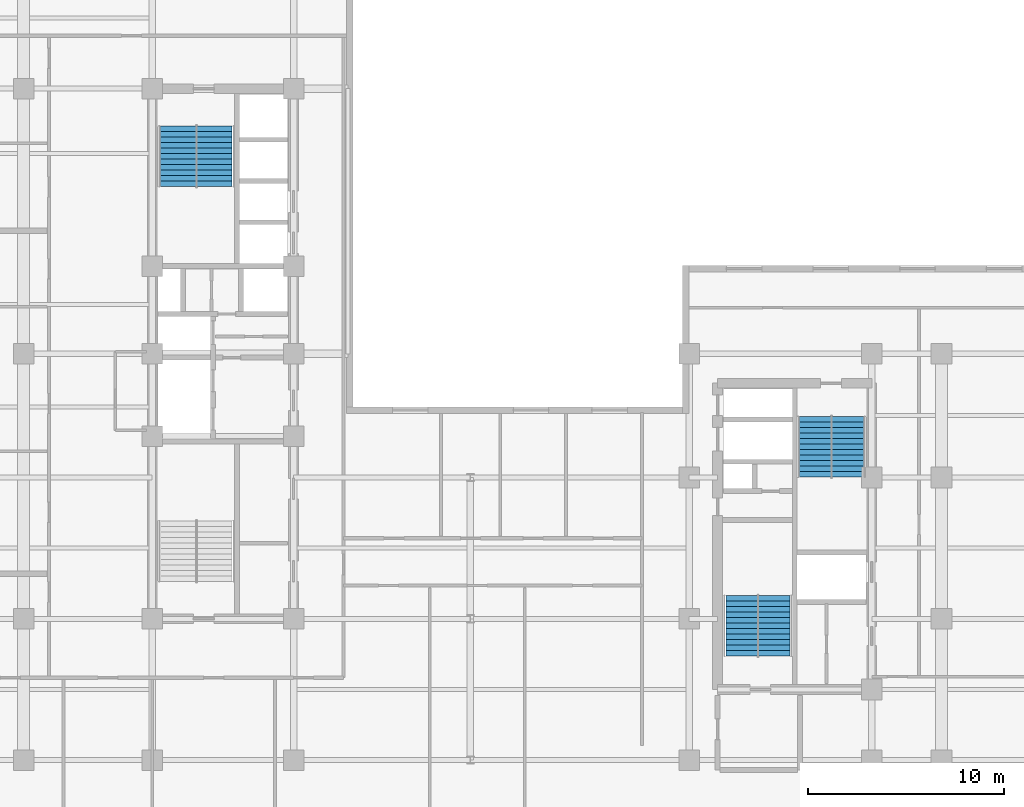
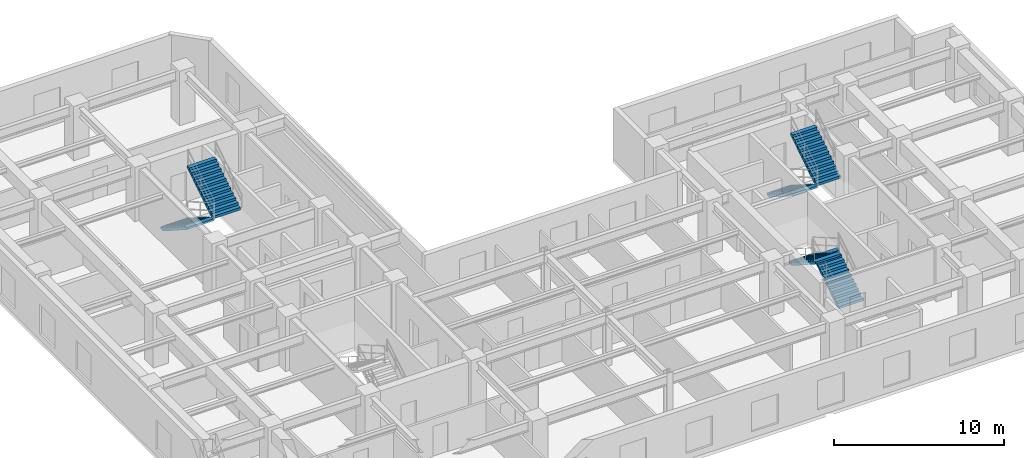
# One storey, part 7 of 10: 6 stair flights, 3 elements without a shape of their own.
"""IFC4 building model written with IfcOpenShell, lengths in metres."""

from ifc_helpers import new_model, entity, si_unit, converted_unit, direction, frame, origin_with_axes, place, context, subcontext, project, spatial, polyline, outline, extrude, material, type_object, element, aggregate, save


model = new_model("IFC4")

# Units and contexts
model_context = context("Model", 3, precision=1e-05, world=origin_with_axes(), true_north=direction((0.0, 1.0)))
body_context = subcontext(model_context, "Body", "Model", "MODEL_VIEW")
ifc_project = project(units=[si_unit("LENGTHUNIT", "METRE"), si_unit("AREAUNIT", "SQUARE_METRE"), si_unit("VOLUMEUNIT", "CUBIC_METRE"), converted_unit("PLANEANGLEUNIT", "DEGREE", entity("IfcPlaneAngleMeasure", 0.017453292519943295), si_unit("PLANEANGLEUNIT", "RADIAN"), dimensions=[0, 0, 0, 0, 0, 0, 0]), si_unit("MASSUNIT", "GRAM", prefix="KILO"), si_unit("THERMODYNAMICTEMPERATUREUNIT", "KELVIN")], contexts=[model_context])

# Site, building, storey
site_placement = place(None, origin_with_axes())
site = spatial("IfcSite", under=ifc_project, at=site_placement, CompositionType="ELEMENT")
building_placement = place(site_placement, origin_with_axes())
building = spatial("IfcBuilding", under=site, at=building_placement, Name="Varnlund Millrace Tower", CompositionType="ELEMENT")
storey_placement = place(building_placement, frame((0.0, 0.0, 129.0), z_axis=(0.0, 0.0, 1.0), x_axis=(1.0, 0.0, 0.0)))
storey = spatial("IfcBuildingStorey", under=building, at=storey_placement, Name="L31", CompositionType="ELEMENT", Elevation=129.0)

# Stair, stair flights
ifc_material_1 = material(Name="Concrete C50/60", Category="concrete")
stair_type_1 = type_object("IfcStairType", Name="Type-Stair-Dogleg-165-390", PredefinedType="HALF_TURN_STAIR", material=ifc_material_1)
stair_1_placement = place(storey_placement, origin_with_axes())
stair_1 = element("IfcStair", 1, at=stair_1_placement, inside=storey, type_object=stair_type_1, Name="Type-Stair-Dogleg-165-390", PredefinedType="HALF_TURN_STAIR")
ifc_material_2 = material(Name="Precast concrete C50/60", Category="concrete")
stair_flight_type_1 = type_object("IfcStairFlightType", Name="Type-Dogleg-Run-165-390", PredefinedType="STRAIGHT", material=ifc_material_2)
stair_flight_1_placement = place(storey_placement, frame((42.225, 8.9, 0.0), z_axis=(1.0, 0.0, 0.0), x_axis=(0.0, 1.0, 0.0)))
stair_flight_1 = element("IfcStairFlight", 2, at=stair_flight_1_placement, type_object=stair_flight_type_1, Name="ST-B1 flight 1", NumberOfRisers=11, NumberOfTreads=11, PredefinedType="STRAIGHT", RiserHeight=0.177273, TreadLength=0.28, context=body_context, shape_type="SweptSolid", body=[
    extrude(outline(polyline([(0.0, 0.0), (0.0, 0.177273), (0.28, 0.177273), (0.28, 0.354545), (0.56, 0.354545), (0.56, 0.531818), (0.84, 0.531818), (0.84, 0.709091), (1.12, 0.709091), (1.12, 0.886364), (1.4, 0.886364), (1.4, 1.063636), (1.68, 1.063636), (1.68, 1.240909), (1.96, 1.240909), (1.96, 1.418182), (2.24, 1.418182), (2.24, 1.595454), (2.52, 1.595454), (2.52, 1.772727), (2.8, 1.772727), (2.8, 1.95), (3.08, 1.95), (3.08, 1.8), (0.28, 0.0), (0.0, 0.0)])), origin_with_axes(), (0.0, 0.0, 1.0), 1.65),
])
stair_flight_2_placement = place(storey_placement, frame((42.275, 11.98, 1.95), z_axis=(-1.0, 0.0, 0.0), x_axis=(0.0, -1.0, 0.0)))
stair_flight_2 = element("IfcStairFlight", 3, at=stair_flight_2_placement, type_object=stair_flight_type_1, Name="ST-B1 flight 2", NumberOfRisers=11, NumberOfTreads=11, PredefinedType="STRAIGHT", RiserHeight=0.177273, TreadLength=0.28, context=body_context, shape_type="SweptSolid", body=[
    extrude(outline(polyline([(0.0, 0.0), (0.0, 0.177273), (0.28, 0.177273), (0.28, 0.354545), (0.56, 0.354545), (0.56, 0.531818), (0.84, 0.531818), (0.84, 0.709091), (1.12, 0.709091), (1.12, 0.886364), (1.4, 0.886364), (1.4, 1.063636), (1.68, 1.063636), (1.68, 1.240909), (1.96, 1.240909), (1.96, 1.418182), (2.24, 1.418182), (2.24, 1.595454), (2.52, 1.595454), (2.52, 1.772727), (2.8, 1.772727), (2.8, 1.95), (3.08, 1.95), (3.08, 1.8), (0.28, 0.0), (0.0, 0.0)])), origin_with_axes(), (0.0, 0.0, 1.0), 1.65),
])
aggregate(stair_1, [stair_flight_1, stair_flight_2])

stair_2_placement = place(storey_placement, origin_with_axes())
stair_2 = element("IfcStair", 4, at=stair_2_placement, inside=storey, type_object=stair_type_1, Name="Type-Stair-Dogleg-165-390", PredefinedType="HALF_TURN_STAIR")
stair_flight_3_placement = place(storey_placement, frame((46.025, 21.1, 0.0), z_axis=(-1.0, 0.0, 0.0), x_axis=(0.0, -1.0, 0.0)))
stair_flight_3 = element("IfcStairFlight", 5, at=stair_flight_3_placement, type_object=stair_flight_type_1, Name="ST-B2 flight 1", NumberOfRisers=11, NumberOfTreads=11, PredefinedType="STRAIGHT", RiserHeight=0.177273, TreadLength=0.28, context=body_context, shape_type="SweptSolid", body=[
    extrude(outline(polyline([(0.0, 0.0), (0.0, 0.177273), (0.28, 0.177273), (0.28, 0.354545), (0.56, 0.354545), (0.56, 0.531818), (0.84, 0.531818), (0.84, 0.709091), (1.12, 0.709091), (1.12, 0.886364), (1.4, 0.886364), (1.4, 1.063636), (1.68, 1.063636), (1.68, 1.240909), (1.96, 1.240909), (1.96, 1.418182), (2.24, 1.418182), (2.24, 1.595454), (2.52, 1.595454), (2.52, 1.772727), (2.8, 1.772727), (2.8, 1.95), (3.08, 1.95), (3.08, 1.8), (0.28, 0.0), (0.0, 0.0)])), origin_with_axes(), (0.0, 0.0, 1.0), 1.65),
])
stair_flight_4_placement = place(storey_placement, frame((45.975, 18.02, 1.95), z_axis=(1.0, 0.0, 0.0), x_axis=(0.0, 1.0, 0.0)))
stair_flight_4 = element("IfcStairFlight", 6, at=stair_flight_4_placement, type_object=stair_flight_type_1, Name="ST-B2 flight 2", NumberOfRisers=11, NumberOfTreads=11, PredefinedType="STRAIGHT", RiserHeight=0.177273, TreadLength=0.28, context=body_context, shape_type="SweptSolid", body=[
    extrude(outline(polyline([(0.0, 0.0), (0.0, 0.177273), (0.28, 0.177273), (0.28, 0.354545), (0.56, 0.354545), (0.56, 0.531818), (0.84, 0.531818), (0.84, 0.709091), (1.12, 0.709091), (1.12, 0.886364), (1.4, 0.886364), (1.4, 1.063636), (1.68, 1.063636), (1.68, 1.240909), (1.96, 1.240909), (1.96, 1.418182), (2.24, 1.418182), (2.24, 1.595454), (2.52, 1.595454), (2.52, 1.772727), (2.8, 1.772727), (2.8, 1.95), (3.08, 1.95), (3.08, 1.8), (0.28, 0.0), (0.0, 0.0)])), origin_with_axes(), (0.0, 0.0, 1.0), 1.65),
])
aggregate(stair_2, [stair_flight_3, stair_flight_4])

stair_type_2 = type_object("IfcStairType", Name="Type-Stair-Dogleg-185-390", PredefinedType="HALF_TURN_STAIR", material=ifc_material_1)
stair_3_placement = place(storey_placement, origin_with_axes())
stair_3 = element("IfcStair", 7, at=stair_3_placement, inside=storey, type_object=stair_type_2, Name="Type-Stair-Dogleg-185-390", PredefinedType="HALF_TURN_STAIR")
stair_flight_type_2 = type_object("IfcStairFlightType", Name="Type-Dogleg-Run-185-390", PredefinedType="STRAIGHT", material=ifc_material_2)
stair_flight_5_placement = place(storey_placement, frame((13.675, 35.9, 0.0), z_axis=(-1.0, 0.0, 0.0), x_axis=(0.0, -1.0, 0.0)))
stair_flight_5 = element("IfcStairFlight", 8, at=stair_flight_5_placement, type_object=stair_flight_type_2, Name="ST-A2 flight 1", NumberOfRisers=11, NumberOfTreads=11, PredefinedType="STRAIGHT", RiserHeight=0.177273, TreadLength=0.28, context=body_context, shape_type="SweptSolid", body=[
    extrude(outline(polyline([(0.0, 0.0), (0.0, 0.177273), (0.28, 0.177273), (0.28, 0.354545), (0.56, 0.354545), (0.56, 0.531818), (0.84, 0.531818), (0.84, 0.709091), (1.12, 0.709091), (1.12, 0.886364), (1.4, 0.886364), (1.4, 1.063636), (1.68, 1.063636), (1.68, 1.240909), (1.96, 1.240909), (1.96, 1.418182), (2.24, 1.418182), (2.24, 1.595454), (2.52, 1.595454), (2.52, 1.772727), (2.8, 1.772727), (2.8, 1.95), (3.08, 1.95), (3.08, 1.8), (0.28, 0.0), (0.0, 0.0)])), origin_with_axes(), (0.0, 0.0, 1.0), 1.85),
])
stair_flight_6_placement = place(storey_placement, frame((13.625, 32.82, 1.95), z_axis=(1.0, 0.0, 0.0), x_axis=(0.0, 1.0, 0.0)))
stair_flight_6 = element("IfcStairFlight", 9, at=stair_flight_6_placement, type_object=stair_flight_type_2, Name="ST-A2 flight 2", NumberOfRisers=11, NumberOfTreads=11, PredefinedType="STRAIGHT", RiserHeight=0.177273, TreadLength=0.28, context=body_context, shape_type="SweptSolid", body=[
    extrude(outline(polyline([(0.0, 0.0), (0.0, 0.177273), (0.28, 0.177273), (0.28, 0.354545), (0.56, 0.354545), (0.56, 0.531818), (0.84, 0.531818), (0.84, 0.709091), (1.12, 0.709091), (1.12, 0.886364), (1.4, 0.886364), (1.4, 1.063636), (1.68, 1.063636), (1.68, 1.240909), (1.96, 1.240909), (1.96, 1.418182), (2.24, 1.418182), (2.24, 1.595454), (2.52, 1.595454), (2.52, 1.772727), (2.8, 1.772727), (2.8, 1.95), (3.08, 1.95), (3.08, 1.8), (0.28, 0.0), (0.0, 0.0)])), origin_with_axes(), (0.0, 0.0, 1.0), 1.85),
])
aggregate(stair_3, [stair_flight_5, stair_flight_6])

save(model, "model.ifc")
